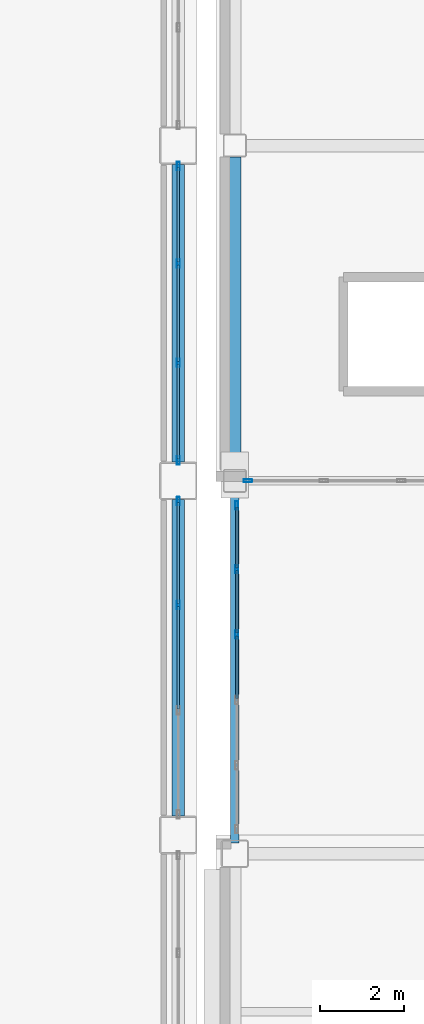
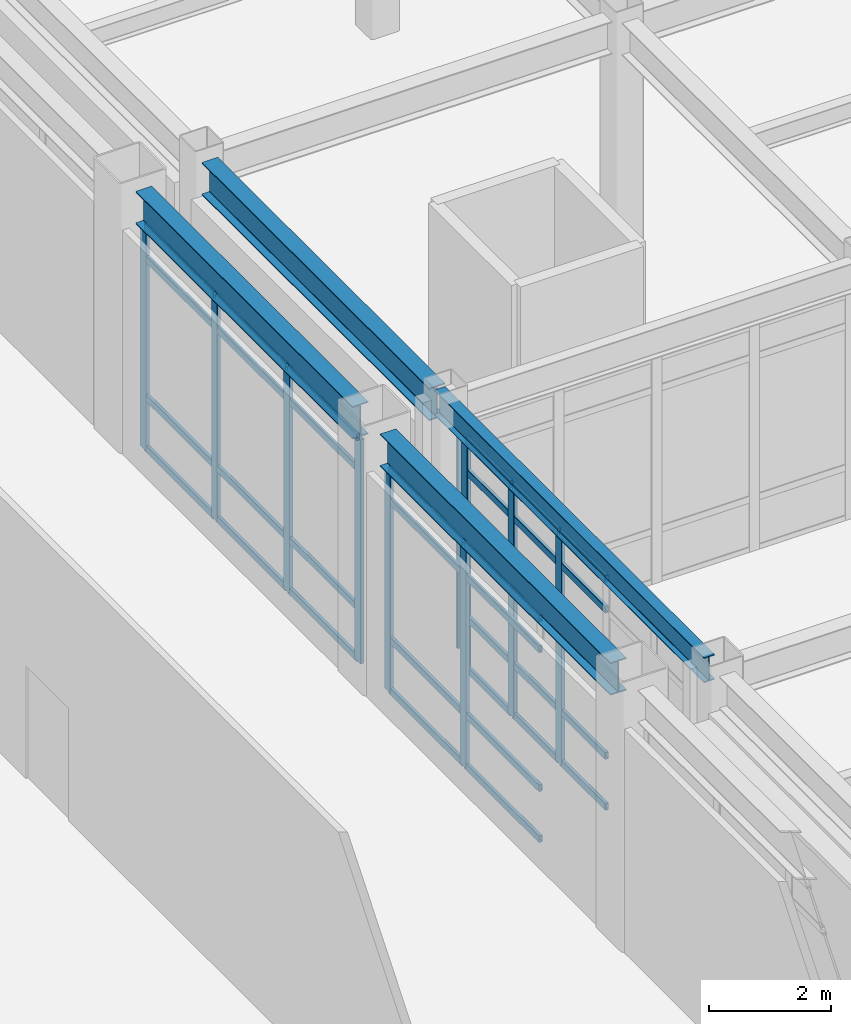
# One storey, part 63 of 165: 42 members, 4 beams, 4 elements without a shape of their own.
"""IFC4 building model written with IfcOpenShell, lengths in metres."""

from ifc_helpers import new_model, si_unit, direction, frame, origin, origin_2d, place, context, subcontext, project, spatial, hollow_rectangle, i_section, extrude, material, layer, layer_set, material_profile, profile_set, type_object, element, aggregate, save


model = new_model("IFC4")

# Units and contexts
model_context = context("Model", 3, precision=1e-05, world=origin(), true_north=direction((0.0, 1.0)))
body_context = subcontext(model_context, "Body", "Model", "MODEL_VIEW")
ifc_project = project(units=[si_unit("LENGTHUNIT", "METRE"), si_unit("AREAUNIT", "SQUARE_METRE"), si_unit("VOLUMEUNIT", "CUBIC_METRE"), si_unit("PLANEANGLEUNIT", "RADIAN"), si_unit("MASSUNIT", "GRAM", prefix="KILO")], contexts=[model_context])

# Site, building, storey
site_placement = place(None, origin())
site = spatial("IfcSite", under=ifc_project, at=site_placement, CompositionType="ELEMENT")
building_placement = place(site_placement, origin())
building = spatial("IfcBuilding", under=site, at=building_placement, Name="Kazehara Bluff Congress Hotel", CompositionType="ELEMENT")
storey_placement = place(building_placement, origin())
storey = spatial("IfcBuildingStorey", under=building, at=storey_placement, Name="L00", CompositionType="ELEMENT", Elevation=0.0)

# Curtain wall, members
ifc_material_1 = material(Name="Anodised aluminium", Category="aluminium")
ifc_layer_1 = layer(ifc_material_1, 0.159912109375)
ifc_layer_set_1 = layer_set([ifc_layer_1], Name="Anodised aluminium")
curtain_wall_type_1 = type_object("IfcCurtainWallType", Name="TP-CW-01", PredefinedType="NOTDEFINED", material=ifc_layer_set_1)
curtain_wall_1_placement = place(storey_placement, origin())
curtain_wall_1 = element("IfcCurtainWall", 1, at=curtain_wall_1_placement, inside=storey, type_object=curtain_wall_type_1, Name="L00 curtain wall CW-01 CW-BRG-34-L00-A", PredefinedType="NOTDEFINED")
ifc_material_2 = material(Name="Anodised aluminium", Category="aluminium")
ifc_material_profile_1 = material_profile(ifc_material_2, hollow_rectangle(XDim=0.070068359375, YDim=0.199951171875, WallThickness=0.0048828125, InnerFilletRadius=0.0048828125, OuterFilletRadius=0.010009765625, at=origin_2d()))
ifc_profile_set_1 = profile_set([ifc_material_profile_1], Name="Anodised aluminium")
member_type_1 = type_object("IfcMemberType", Name="TP-CWM-03", PredefinedType="MULLION", material=ifc_profile_set_1)
member_1_placement = place(storey_placement, frame((59.75, 77.22998046875, 0.0), z_axis=(0.0, 0.0, 1.0), x_axis=(-1.0, 0.0, 0.0)))
member_1 = element("IfcMember", 2, at=member_1_placement, type_object=member_type_1, Name="CW-01 mullion 4", PredefinedType="MULLION", context=body_context, shape_type="SweptSolid", body=[
    extrude(hollow_rectangle(XDim=0.070068359375, YDim=0.199951171875, WallThickness=0.0048828125, InnerFilletRadius=0.0048828125, OuterFilletRadius=0.010009765625, at=origin_2d()), origin(), (0.0, 0.0, 1.0), 4.625),
])
member_2_placement = place(storey_placement, frame((59.75, 78.7900390625, 0.0), z_axis=(0.0, 0.0, 1.0), x_axis=(-1.0, 0.0, 0.0)))
member_2 = element("IfcMember", 3, at=member_2_placement, type_object=member_type_1, Name="CW-01 mullion 5", PredefinedType="MULLION", context=body_context, shape_type="SweptSolid", body=[
    extrude(hollow_rectangle(XDim=0.070068359375, YDim=0.199951171875, WallThickness=0.0048828125, InnerFilletRadius=0.0048828125, OuterFilletRadius=0.010009765625, at=origin_2d()), origin(), (0.0, 0.0, 1.0), 4.625),
])
member_3_placement = place(storey_placement, frame((59.75, 80.31494140625, 0.0), z_axis=(0.0, 0.0, 1.0), x_axis=(-1.0, 0.0, 0.0)))
member_3 = element("IfcMember", 4, at=member_3_placement, type_object=member_type_1, Name="CW-01 mullion 6", PredefinedType="MULLION", context=body_context, shape_type="SweptSolid", body=[
    extrude(hollow_rectangle(XDim=0.070068359375, YDim=0.199951171875, WallThickness=0.0048828125, InnerFilletRadius=0.0048828125, OuterFilletRadius=0.010009765625, at=origin_2d()), origin(), (0.0, 0.0, 1.0), 4.625),
])

ifc_material_3 = material(Name="Anodised aluminium", Category="aluminium")
ifc_layer_2 = layer(ifc_material_3, 0.159912109375)
ifc_layer_set_2 = layer_set([ifc_layer_2], Name="Anodised aluminium")
curtain_wall_type_2 = type_object("IfcCurtainWallType", Name="TP-CW-18", PredefinedType="NOTDEFINED", material=ifc_layer_set_2)
curtain_wall_2_placement = place(storey_placement, origin())
curtain_wall_2 = element("IfcCurtainWall", 5, at=curtain_wall_2_placement, inside=storey, type_object=curtain_wall_type_2, Name="L00 curtain wall CW-18 CW-V1-L00-X5835-7290", PredefinedType="NOTDEFINED")
member_4_placement = place(storey_placement, frame((58.35009765625, 77.933349609375, 0.0), z_axis=(0.0, 0.0, 1.0), x_axis=(-1.0, 0.0, 0.0)))
member_4 = element("IfcMember", 6, at=member_4_placement, type_object=member_type_1, Name="CW-18 mullion 3", PredefinedType="MULLION", context=body_context, shape_type="SweptSolid", body=[
    extrude(hollow_rectangle(XDim=0.070068359375, YDim=0.199951171875, WallThickness=0.0048828125, InnerFilletRadius=0.0048828125, OuterFilletRadius=0.010009765625, at=origin_2d()), origin(), (0.0, 0.0, 1.0), 4.47509765625),
])
member_5_placement = place(storey_placement, frame((58.35009765625, 80.4150390625, 0.0), z_axis=(0.0, 0.0, 1.0), x_axis=(-1.0, 0.0, 0.0)))
member_5 = element("IfcMember", 7, at=member_5_placement, type_object=member_type_1, Name="CW-18 mullion 4", PredefinedType="MULLION", context=body_context, shape_type="SweptSolid", body=[
    extrude(hollow_rectangle(XDim=0.070068359375, YDim=0.199951171875, WallThickness=0.0048828125, InnerFilletRadius=0.0048828125, OuterFilletRadius=0.010009765625, at=origin_2d()), origin(), (0.0, 0.0, 1.0), 4.47509765625),
])

ifc_material_4 = material(Name="Anodised aluminium", Category="aluminium")
ifc_layer_3 = layer(ifc_material_4, 0.159912109375)
ifc_layer_set_3 = layer_set([ifc_layer_3], Name="Anodised aluminium")
curtain_wall_type_3 = type_object("IfcCurtainWallType", Name="TP-CW-17", PredefinedType="NOTDEFINED", material=ifc_layer_set_3)
curtain_wall_3_placement = place(storey_placement, origin())
curtain_wall_3 = element("IfcCurtainWall", 8, at=curtain_wall_3_placement, inside=storey, type_object=curtain_wall_type_3, Name="L00 curtain wall CW-17 CW-V1-L00-X5835-8135", PredefinedType="NOTDEFINED")
member_6_placement = place(storey_placement, frame((58.35009765625, 81.385009765625, 0.0), z_axis=(0.0, 0.0, 1.0), x_axis=(-1.0, 0.0, 0.0)))
member_6 = element("IfcMember", 9, at=member_6_placement, type_object=member_type_1, Name="CW-17 mullion 1", PredefinedType="MULLION", context=body_context, shape_type="SweptSolid", body=[
    extrude(hollow_rectangle(XDim=0.070068359375, YDim=0.199951171875, WallThickness=0.0048828125, InnerFilletRadius=0.0048828125, OuterFilletRadius=0.010009765625, at=origin_2d()), origin(), (0.0, 0.0, 1.0), 4.47509765625),
])
member_7_placement = place(storey_placement, frame((58.35009765625, 83.716552734375, 0.0), z_axis=(0.0, 0.0, 1.0), x_axis=(-1.0, 0.0, 0.0)))
member_7 = element("IfcMember", 10, at=member_7_placement, type_object=member_type_1, Name="CW-17 mullion 2", PredefinedType="MULLION", context=body_context, shape_type="SweptSolid", body=[
    extrude(hollow_rectangle(XDim=0.070068359375, YDim=0.199951171875, WallThickness=0.0048828125, InnerFilletRadius=0.0048828125, OuterFilletRadius=0.010009765625, at=origin_2d()), origin(), (0.0, 0.0, 1.0), 4.47509765625),
])
member_8_placement = place(storey_placement, frame((58.35009765625, 86.083251953125, 0.0), z_axis=(0.0, 0.0, 1.0), x_axis=(-1.0, 0.0, 0.0)))
member_8 = element("IfcMember", 11, at=member_8_placement, type_object=member_type_1, Name="CW-17 mullion 3", PredefinedType="MULLION", context=body_context, shape_type="SweptSolid", body=[
    extrude(hollow_rectangle(XDim=0.070068359375, YDim=0.199951171875, WallThickness=0.0048828125, InnerFilletRadius=0.0048828125, OuterFilletRadius=0.010009765625, at=origin_2d()), origin(), (0.0, 0.0, 1.0), 4.47509765625),
])
member_9_placement = place(storey_placement, frame((58.35009765625, 88.4150390625, 0.0), z_axis=(0.0, 0.0, 1.0), x_axis=(-1.0, 0.0, 0.0)))
member_9 = element("IfcMember", 12, at=member_9_placement, type_object=member_type_1, Name="CW-17 mullion 4", PredefinedType="MULLION", context=body_context, shape_type="SweptSolid", body=[
    extrude(hollow_rectangle(XDim=0.070068359375, YDim=0.199951171875, WallThickness=0.0048828125, InnerFilletRadius=0.0048828125, OuterFilletRadius=0.010009765625, at=origin_2d()), origin(), (0.0, 0.0, 1.0), 4.47509765625),
])

# Curtain wall, member
ifc_material_5 = material(Name="Anodised aluminium", Category="aluminium")
ifc_layer_4 = layer(ifc_material_5, 0.159912109375)
ifc_layer_set_4 = layer_set([ifc_layer_4], Name="Anodised aluminium")
curtain_wall_type_4 = type_object("IfcCurtainWallType", Name="TP-CW-35", PredefinedType="NOTDEFINED", material=ifc_layer_set_4)
curtain_wall_4_placement = place(storey_placement, origin())
curtain_wall_4 = element("IfcCurtainWall", 13, at=curtain_wall_4_placement, inside=storey, type_object=curtain_wall_type_4, Name="L00 curtain wall CW-35 CW-V3-L00-Y8090-5998", PredefinedType="NOTDEFINED")
member_10_placement = place(storey_placement, frame((60.010009765625, 80.89990234375, 0.0), z_axis=(0.0, 0.0, 1.0), x_axis=(0.0, 1.0, 0.0)))
member_10 = element("IfcMember", 14, at=member_10_placement, type_object=member_type_1, Name="CW-35 mullion 1", PredefinedType="MULLION", context=body_context, shape_type="SweptSolid", body=[
    extrude(hollow_rectangle(XDim=0.070068359375, YDim=0.199951171875, WallThickness=0.0048828125, InnerFilletRadius=0.0048828125, OuterFilletRadius=0.010009765625, at=origin_2d()), origin(), (0.0, 0.0, 1.0), 4.52490234375),
])
aggregate(curtain_wall_4, [member_10])

# Member
ifc_material_6 = material(Name="Anodised aluminium", Category="aluminium")
ifc_material_profile_2 = material_profile(ifc_material_6, hollow_rectangle(XDim=0.06494140625, YDim=0.139892578125, WallThickness=0.00390625, InnerFilletRadius=0.00390625, OuterFilletRadius=0.008056640625, at=origin_2d()))
ifc_profile_set_2 = profile_set([ifc_material_profile_2], Name="Anodised aluminium")
member_type_2 = type_object("IfcMemberType", Name="TP-CWT-02", PredefinedType="USERDEFINED", material=ifc_profile_set_2)
member_11_placement = place(storey_placement, frame((59.75, 75.705078125, 0.032470703125), z_axis=(0.0, 1.0, 0.0), x_axis=(-1.0, 0.0, 0.0)))
member_11 = element("IfcMember", 15, at=member_11_placement, type_object=member_type_2, Name="CW-01 transom 3.1", ObjectType="TRANSOM", PredefinedType="USERDEFINED", context=body_context, shape_type="SweptSolid", body=[
    extrude(hollow_rectangle(XDim=0.06494140625, YDim=0.139892578125, WallThickness=0.00390625, InnerFilletRadius=0.00390625, OuterFilletRadius=0.008056640625, at=origin_2d()), origin(), (0.0, 0.0, 1.0), 1.489990234375),
])

member_12_placement = place(storey_placement, frame((59.75, 75.705078125, 1.050048828125), z_axis=(0.0, 1.0, 0.0), x_axis=(-1.0, 0.0, 0.0)))
member_12 = element("IfcMember", 16, at=member_12_placement, type_object=member_type_2, Name="CW-01 transom 3.2", ObjectType="TRANSOM", PredefinedType="USERDEFINED", context=body_context, shape_type="SweptSolid", body=[
    extrude(hollow_rectangle(XDim=0.06494140625, YDim=0.139892578125, WallThickness=0.00390625, InnerFilletRadius=0.00390625, OuterFilletRadius=0.008056640625, at=origin_2d()), origin(), (0.0, 0.0, 1.0), 1.489990234375),
])

member_13_placement = place(storey_placement, frame((59.75, 75.705078125, 3.97509765625), z_axis=(0.0, 1.0, 0.0), x_axis=(-1.0, 0.0, 0.0)))
member_13 = element("IfcMember", 17, at=member_13_placement, type_object=member_type_2, Name="CW-01 transom 3.3", ObjectType="TRANSOM", PredefinedType="USERDEFINED", context=body_context, shape_type="SweptSolid", body=[
    extrude(hollow_rectangle(XDim=0.06494140625, YDim=0.139892578125, WallThickness=0.00390625, InnerFilletRadius=0.00390625, OuterFilletRadius=0.008056640625, at=origin_2d()), origin(), (0.0, 0.0, 1.0), 1.489990234375),
])

member_14_placement = place(storey_placement, frame((59.75, 75.705078125, 4.592529296875), z_axis=(0.0, 1.0, 0.0), x_axis=(-1.0, 0.0, 0.0)))
member_14 = element("IfcMember", 18, at=member_14_placement, type_object=member_type_2, Name="CW-01 transom 3.4", ObjectType="TRANSOM", PredefinedType="USERDEFINED", context=body_context, shape_type="SweptSolid", body=[
    extrude(hollow_rectangle(XDim=0.06494140625, YDim=0.139892578125, WallThickness=0.00390625, InnerFilletRadius=0.00390625, OuterFilletRadius=0.008056640625, at=origin_2d()), origin(), (0.0, 0.0, 1.0), 1.489990234375),
])

member_15_placement = place(storey_placement, frame((59.75, 77.264892578125, 0.032470703125), z_axis=(0.0, 1.0, 0.0), x_axis=(-1.0, 0.0, 0.0)))
member_15 = element("IfcMember", 19, at=member_15_placement, type_object=member_type_2, Name="CW-01 transom 4.1", ObjectType="TRANSOM", PredefinedType="USERDEFINED", context=body_context, shape_type="SweptSolid", body=[
    extrude(hollow_rectangle(XDim=0.06494140625, YDim=0.139892578125, WallThickness=0.00390625, InnerFilletRadius=0.00390625, OuterFilletRadius=0.008056640625, at=origin_2d()), origin(), (0.0, 0.0, 1.0), 1.489990234375),
])

member_16_placement = place(storey_placement, frame((59.75, 77.264892578125, 1.050048828125), z_axis=(0.0, 1.0, 0.0), x_axis=(-1.0, 0.0, 0.0)))
member_16 = element("IfcMember", 20, at=member_16_placement, type_object=member_type_2, Name="CW-01 transom 4.2", ObjectType="TRANSOM", PredefinedType="USERDEFINED", context=body_context, shape_type="SweptSolid", body=[
    extrude(hollow_rectangle(XDim=0.06494140625, YDim=0.139892578125, WallThickness=0.00390625, InnerFilletRadius=0.00390625, OuterFilletRadius=0.008056640625, at=origin_2d()), origin(), (0.0, 0.0, 1.0), 1.489990234375),
])

member_17_placement = place(storey_placement, frame((59.75, 77.264892578125, 3.97509765625), z_axis=(0.0, 1.0, 0.0), x_axis=(-1.0, 0.0, 0.0)))
member_17 = element("IfcMember", 21, at=member_17_placement, type_object=member_type_2, Name="CW-01 transom 4.3", ObjectType="TRANSOM", PredefinedType="USERDEFINED", context=body_context, shape_type="SweptSolid", body=[
    extrude(hollow_rectangle(XDim=0.06494140625, YDim=0.139892578125, WallThickness=0.00390625, InnerFilletRadius=0.00390625, OuterFilletRadius=0.008056640625, at=origin_2d()), origin(), (0.0, 0.0, 1.0), 1.489990234375),
])

member_18_placement = place(storey_placement, frame((59.75, 77.264892578125, 4.592529296875), z_axis=(0.0, 1.0, 0.0), x_axis=(-1.0, 0.0, 0.0)))
member_18 = element("IfcMember", 22, at=member_18_placement, type_object=member_type_2, Name="CW-01 transom 4.4", ObjectType="TRANSOM", PredefinedType="USERDEFINED", context=body_context, shape_type="SweptSolid", body=[
    extrude(hollow_rectangle(XDim=0.06494140625, YDim=0.139892578125, WallThickness=0.00390625, InnerFilletRadius=0.00390625, OuterFilletRadius=0.008056640625, at=origin_2d()), origin(), (0.0, 0.0, 1.0), 1.489990234375),
])

member_19_placement = place(storey_placement, frame((59.75, 78.824951171875, 0.032470703125), z_axis=(0.0, 1.0, 0.0), x_axis=(-1.0, 0.0, 0.0)))
member_19 = element("IfcMember", 23, at=member_19_placement, type_object=member_type_2, Name="CW-01 transom 5.1", ObjectType="TRANSOM", PredefinedType="USERDEFINED", context=body_context, shape_type="SweptSolid", body=[
    extrude(hollow_rectangle(XDim=0.06494140625, YDim=0.139892578125, WallThickness=0.00390625, InnerFilletRadius=0.00390625, OuterFilletRadius=0.008056640625, at=origin_2d()), origin(), (0.0, 0.0, 1.0), 1.455078125),
])

member_20_placement = place(storey_placement, frame((59.75, 78.824951171875, 1.050048828125), z_axis=(0.0, 1.0, 0.0), x_axis=(-1.0, 0.0, 0.0)))
member_20 = element("IfcMember", 24, at=member_20_placement, type_object=member_type_2, Name="CW-01 transom 5.2", ObjectType="TRANSOM", PredefinedType="USERDEFINED", context=body_context, shape_type="SweptSolid", body=[
    extrude(hollow_rectangle(XDim=0.06494140625, YDim=0.139892578125, WallThickness=0.00390625, InnerFilletRadius=0.00390625, OuterFilletRadius=0.008056640625, at=origin_2d()), origin(), (0.0, 0.0, 1.0), 1.455078125),
])

member_21_placement = place(storey_placement, frame((59.75, 78.824951171875, 3.97509765625), z_axis=(0.0, 1.0, 0.0), x_axis=(-1.0, 0.0, 0.0)))
member_21 = element("IfcMember", 25, at=member_21_placement, type_object=member_type_2, Name="CW-01 transom 5.3", ObjectType="TRANSOM", PredefinedType="USERDEFINED", context=body_context, shape_type="SweptSolid", body=[
    extrude(hollow_rectangle(XDim=0.06494140625, YDim=0.139892578125, WallThickness=0.00390625, InnerFilletRadius=0.00390625, OuterFilletRadius=0.008056640625, at=origin_2d()), origin(), (0.0, 0.0, 1.0), 1.455078125),
])

member_22_placement = place(storey_placement, frame((59.75, 78.824951171875, 4.592529296875), z_axis=(0.0, 1.0, 0.0), x_axis=(-1.0, 0.0, 0.0)))
member_22 = element("IfcMember", 26, at=member_22_placement, type_object=member_type_2, Name="CW-01 transom 5.4", ObjectType="TRANSOM", PredefinedType="USERDEFINED", context=body_context, shape_type="SweptSolid", body=[
    extrude(hollow_rectangle(XDim=0.06494140625, YDim=0.139892578125, WallThickness=0.00390625, InnerFilletRadius=0.00390625, OuterFilletRadius=0.008056640625, at=origin_2d()), origin(), (0.0, 0.0, 1.0), 1.455078125),
])

aggregate(curtain_wall_1, [member_1, member_2, member_3, member_11, member_12, member_13, member_14, member_15, member_16, member_17, member_18, member_19, member_20, member_21, member_22])

member_23_placement = place(storey_placement, frame((58.35009765625, 75.45166015625, 0.032470703125), z_axis=(0.0, 1.0, 0.0), x_axis=(-1.0, 0.0, 0.0)))
member_23 = element("IfcMember", 27, at=member_23_placement, type_object=member_type_2, Name="CW-18 transom 2.1", ObjectType="TRANSOM", PredefinedType="USERDEFINED", context=body_context, shape_type="SweptSolid", body=[
    extrude(hollow_rectangle(XDim=0.06494140625, YDim=0.139892578125, WallThickness=0.00390625, InnerFilletRadius=0.00390625, OuterFilletRadius=0.008056640625, at=origin_2d()), origin(), (0.0, 0.0, 1.0), 2.44677734375),
])

member_24_placement = place(storey_placement, frame((58.35009765625, 75.45166015625, 1.050048828125), z_axis=(0.0, 1.0, 0.0), x_axis=(-1.0, 0.0, 0.0)))
member_24 = element("IfcMember", 28, at=member_24_placement, type_object=member_type_2, Name="CW-18 transom 2.2", ObjectType="TRANSOM", PredefinedType="USERDEFINED", context=body_context, shape_type="SweptSolid", body=[
    extrude(hollow_rectangle(XDim=0.06494140625, YDim=0.139892578125, WallThickness=0.00390625, InnerFilletRadius=0.00390625, OuterFilletRadius=0.008056640625, at=origin_2d()), origin(), (0.0, 0.0, 1.0), 2.44677734375),
])

member_25_placement = place(storey_placement, frame((58.35009765625, 75.45166015625, 3.824951171875), z_axis=(0.0, 1.0, 0.0), x_axis=(-1.0, 0.0, 0.0)))
member_25 = element("IfcMember", 29, at=member_25_placement, type_object=member_type_2, Name="CW-18 transom 2.3", ObjectType="TRANSOM", PredefinedType="USERDEFINED", context=body_context, shape_type="SweptSolid", body=[
    extrude(hollow_rectangle(XDim=0.06494140625, YDim=0.139892578125, WallThickness=0.00390625, InnerFilletRadius=0.00390625, OuterFilletRadius=0.008056640625, at=origin_2d()), origin(), (0.0, 0.0, 1.0), 2.44677734375),
])

member_26_placement = place(storey_placement, frame((58.35009765625, 75.45166015625, 4.4423828125), z_axis=(0.0, 1.0, 0.0), x_axis=(-1.0, 0.0, 0.0)))
member_26 = element("IfcMember", 30, at=member_26_placement, type_object=member_type_2, Name="CW-18 transom 2.4", ObjectType="TRANSOM", PredefinedType="USERDEFINED", context=body_context, shape_type="SweptSolid", body=[
    extrude(hollow_rectangle(XDim=0.06494140625, YDim=0.139892578125, WallThickness=0.00390625, InnerFilletRadius=0.00390625, OuterFilletRadius=0.008056640625, at=origin_2d()), origin(), (0.0, 0.0, 1.0), 2.44677734375),
])

member_27_placement = place(storey_placement, frame((58.35009765625, 77.96826171875, 0.032470703125), z_axis=(0.0, 1.0, 0.0), x_axis=(-1.0, 0.0, 0.0)))
member_27 = element("IfcMember", 31, at=member_27_placement, type_object=member_type_2, Name="CW-18 transom 3.1", ObjectType="TRANSOM", PredefinedType="USERDEFINED", context=body_context, shape_type="SweptSolid", body=[
    extrude(hollow_rectangle(XDim=0.06494140625, YDim=0.139892578125, WallThickness=0.00390625, InnerFilletRadius=0.00390625, OuterFilletRadius=0.008056640625, at=origin_2d()), origin(), (0.0, 0.0, 1.0), 2.41162109375),
])

member_28_placement = place(storey_placement, frame((58.35009765625, 77.96826171875, 1.050048828125), z_axis=(0.0, 1.0, 0.0), x_axis=(-1.0, 0.0, 0.0)))
member_28 = element("IfcMember", 32, at=member_28_placement, type_object=member_type_2, Name="CW-18 transom 3.2", ObjectType="TRANSOM", PredefinedType="USERDEFINED", context=body_context, shape_type="SweptSolid", body=[
    extrude(hollow_rectangle(XDim=0.06494140625, YDim=0.139892578125, WallThickness=0.00390625, InnerFilletRadius=0.00390625, OuterFilletRadius=0.008056640625, at=origin_2d()), origin(), (0.0, 0.0, 1.0), 2.41162109375),
])

member_29_placement = place(storey_placement, frame((58.35009765625, 77.96826171875, 3.824951171875), z_axis=(0.0, 1.0, 0.0), x_axis=(-1.0, 0.0, 0.0)))
member_29 = element("IfcMember", 33, at=member_29_placement, type_object=member_type_2, Name="CW-18 transom 3.3", ObjectType="TRANSOM", PredefinedType="USERDEFINED", context=body_context, shape_type="SweptSolid", body=[
    extrude(hollow_rectangle(XDim=0.06494140625, YDim=0.139892578125, WallThickness=0.00390625, InnerFilletRadius=0.00390625, OuterFilletRadius=0.008056640625, at=origin_2d()), origin(), (0.0, 0.0, 1.0), 2.41162109375),
])

member_30_placement = place(storey_placement, frame((58.35009765625, 77.96826171875, 4.4423828125), z_axis=(0.0, 1.0, 0.0), x_axis=(-1.0, 0.0, 0.0)))
member_30 = element("IfcMember", 34, at=member_30_placement, type_object=member_type_2, Name="CW-18 transom 3.4", ObjectType="TRANSOM", PredefinedType="USERDEFINED", context=body_context, shape_type="SweptSolid", body=[
    extrude(hollow_rectangle(XDim=0.06494140625, YDim=0.139892578125, WallThickness=0.00390625, InnerFilletRadius=0.00390625, OuterFilletRadius=0.008056640625, at=origin_2d()), origin(), (0.0, 0.0, 1.0), 2.41162109375),
])

aggregate(curtain_wall_2, [member_4, member_5, member_23, member_24, member_25, member_26, member_27, member_28, member_29, member_30])

member_31_placement = place(storey_placement, frame((58.35009765625, 81.419921875, 0.032470703125), z_axis=(0.0, 1.0, 0.0), x_axis=(-1.0, 0.0, 0.0)))
member_31 = element("IfcMember", 35, at=member_31_placement, type_object=member_type_2, Name="CW-17 transom 1.1", ObjectType="TRANSOM", PredefinedType="USERDEFINED", context=body_context, shape_type="SweptSolid", body=[
    extrude(hollow_rectangle(XDim=0.06494140625, YDim=0.139892578125, WallThickness=0.00390625, InnerFilletRadius=0.00390625, OuterFilletRadius=0.008056640625, at=origin_2d()), origin(), (0.0, 0.0, 1.0), 2.26171875),
])

member_32_placement = place(storey_placement, frame((58.35009765625, 81.419921875, 1.050048828125), z_axis=(0.0, 1.0, 0.0), x_axis=(-1.0, 0.0, 0.0)))
member_32 = element("IfcMember", 36, at=member_32_placement, type_object=member_type_2, Name="CW-17 transom 1.2", ObjectType="TRANSOM", PredefinedType="USERDEFINED", context=body_context, shape_type="SweptSolid", body=[
    extrude(hollow_rectangle(XDim=0.06494140625, YDim=0.139892578125, WallThickness=0.00390625, InnerFilletRadius=0.00390625, OuterFilletRadius=0.008056640625, at=origin_2d()), origin(), (0.0, 0.0, 1.0), 2.26171875),
])

member_33_placement = place(storey_placement, frame((58.35009765625, 81.419921875, 3.824951171875), z_axis=(0.0, 1.0, 0.0), x_axis=(-1.0, 0.0, 0.0)))
member_33 = element("IfcMember", 37, at=member_33_placement, type_object=member_type_2, Name="CW-17 transom 1.3", ObjectType="TRANSOM", PredefinedType="USERDEFINED", context=body_context, shape_type="SweptSolid", body=[
    extrude(hollow_rectangle(XDim=0.06494140625, YDim=0.139892578125, WallThickness=0.00390625, InnerFilletRadius=0.00390625, OuterFilletRadius=0.008056640625, at=origin_2d()), origin(), (0.0, 0.0, 1.0), 2.26171875),
])

member_34_placement = place(storey_placement, frame((58.35009765625, 81.419921875, 4.4423828125), z_axis=(0.0, 1.0, 0.0), x_axis=(-1.0, 0.0, 0.0)))
member_34 = element("IfcMember", 38, at=member_34_placement, type_object=member_type_2, Name="CW-17 transom 1.4", ObjectType="TRANSOM", PredefinedType="USERDEFINED", context=body_context, shape_type="SweptSolid", body=[
    extrude(hollow_rectangle(XDim=0.06494140625, YDim=0.139892578125, WallThickness=0.00390625, InnerFilletRadius=0.00390625, OuterFilletRadius=0.008056640625, at=origin_2d()), origin(), (0.0, 0.0, 1.0), 2.26171875),
])

member_35_placement = place(storey_placement, frame((58.35009765625, 83.751708984375, 0.032470703125), z_axis=(0.0, 1.0, 0.0), x_axis=(-1.0, 0.0, 0.0)))
member_35 = element("IfcMember", 39, at=member_35_placement, type_object=member_type_2, Name="CW-17 transom 2.1", ObjectType="TRANSOM", PredefinedType="USERDEFINED", context=body_context, shape_type="SweptSolid", body=[
    extrude(hollow_rectangle(XDim=0.06494140625, YDim=0.139892578125, WallThickness=0.00390625, InnerFilletRadius=0.00390625, OuterFilletRadius=0.008056640625, at=origin_2d()), origin(), (0.0, 0.0, 1.0), 2.296630859375),
])

member_36_placement = place(storey_placement, frame((58.35009765625, 83.751708984375, 1.050048828125), z_axis=(0.0, 1.0, 0.0), x_axis=(-1.0, 0.0, 0.0)))
member_36 = element("IfcMember", 40, at=member_36_placement, type_object=member_type_2, Name="CW-17 transom 2.2", ObjectType="TRANSOM", PredefinedType="USERDEFINED", context=body_context, shape_type="SweptSolid", body=[
    extrude(hollow_rectangle(XDim=0.06494140625, YDim=0.139892578125, WallThickness=0.00390625, InnerFilletRadius=0.00390625, OuterFilletRadius=0.008056640625, at=origin_2d()), origin(), (0.0, 0.0, 1.0), 2.296630859375),
])

member_37_placement = place(storey_placement, frame((58.35009765625, 83.751708984375, 3.824951171875), z_axis=(0.0, 1.0, 0.0), x_axis=(-1.0, 0.0, 0.0)))
member_37 = element("IfcMember", 41, at=member_37_placement, type_object=member_type_2, Name="CW-17 transom 2.3", ObjectType="TRANSOM", PredefinedType="USERDEFINED", context=body_context, shape_type="SweptSolid", body=[
    extrude(hollow_rectangle(XDim=0.06494140625, YDim=0.139892578125, WallThickness=0.00390625, InnerFilletRadius=0.00390625, OuterFilletRadius=0.008056640625, at=origin_2d()), origin(), (0.0, 0.0, 1.0), 2.296630859375),
])

member_38_placement = place(storey_placement, frame((58.35009765625, 83.751708984375, 4.4423828125), z_axis=(0.0, 1.0, 0.0), x_axis=(-1.0, 0.0, 0.0)))
member_38 = element("IfcMember", 42, at=member_38_placement, type_object=member_type_2, Name="CW-17 transom 2.4", ObjectType="TRANSOM", PredefinedType="USERDEFINED", context=body_context, shape_type="SweptSolid", body=[
    extrude(hollow_rectangle(XDim=0.06494140625, YDim=0.139892578125, WallThickness=0.00390625, InnerFilletRadius=0.00390625, OuterFilletRadius=0.008056640625, at=origin_2d()), origin(), (0.0, 0.0, 1.0), 2.296630859375),
])

member_39_placement = place(storey_placement, frame((58.35009765625, 86.118408203125, 0.032470703125), z_axis=(0.0, 1.0, 0.0), x_axis=(-1.0, 0.0, 0.0)))
member_39 = element("IfcMember", 43, at=member_39_placement, type_object=member_type_2, Name="CW-17 transom 3.1", ObjectType="TRANSOM", PredefinedType="USERDEFINED", context=body_context, shape_type="SweptSolid", body=[
    extrude(hollow_rectangle(XDim=0.06494140625, YDim=0.139892578125, WallThickness=0.00390625, InnerFilletRadius=0.00390625, OuterFilletRadius=0.008056640625, at=origin_2d()), origin(), (0.0, 0.0, 1.0), 2.261474609375),
])

member_40_placement = place(storey_placement, frame((58.35009765625, 86.118408203125, 1.050048828125), z_axis=(0.0, 1.0, 0.0), x_axis=(-1.0, 0.0, 0.0)))
member_40 = element("IfcMember", 44, at=member_40_placement, type_object=member_type_2, Name="CW-17 transom 3.2", ObjectType="TRANSOM", PredefinedType="USERDEFINED", context=body_context, shape_type="SweptSolid", body=[
    extrude(hollow_rectangle(XDim=0.06494140625, YDim=0.139892578125, WallThickness=0.00390625, InnerFilletRadius=0.00390625, OuterFilletRadius=0.008056640625, at=origin_2d()), origin(), (0.0, 0.0, 1.0), 2.261474609375),
])

member_41_placement = place(storey_placement, frame((58.35009765625, 86.118408203125, 3.824951171875), z_axis=(0.0, 1.0, 0.0), x_axis=(-1.0, 0.0, 0.0)))
member_41 = element("IfcMember", 45, at=member_41_placement, type_object=member_type_2, Name="CW-17 transom 3.3", ObjectType="TRANSOM", PredefinedType="USERDEFINED", context=body_context, shape_type="SweptSolid", body=[
    extrude(hollow_rectangle(XDim=0.06494140625, YDim=0.139892578125, WallThickness=0.00390625, InnerFilletRadius=0.00390625, OuterFilletRadius=0.008056640625, at=origin_2d()), origin(), (0.0, 0.0, 1.0), 2.261474609375),
])

member_42_placement = place(storey_placement, frame((58.35009765625, 86.118408203125, 4.4423828125), z_axis=(0.0, 1.0, 0.0), x_axis=(-1.0, 0.0, 0.0)))
member_42 = element("IfcMember", 46, at=member_42_placement, type_object=member_type_2, Name="CW-17 transom 3.4", ObjectType="TRANSOM", PredefinedType="USERDEFINED", context=body_context, shape_type="SweptSolid", body=[
    extrude(hollow_rectangle(XDim=0.06494140625, YDim=0.139892578125, WallThickness=0.00390625, InnerFilletRadius=0.00390625, OuterFilletRadius=0.008056640625, at=origin_2d()), origin(), (0.0, 0.0, 1.0), 2.261474609375),
])

aggregate(curtain_wall_3, [member_6, member_7, member_8, member_9, member_31, member_32, member_33, member_34, member_35, member_36, member_37, member_38, member_39, member_40, member_41, member_42])

# Beams
ifc_material_7 = material(Name="Steel SN490B", Category="steel")
ifc_material_profile_3 = material_profile(ifc_material_7, i_section(OverallWidth=0.199951171875, OverallDepth=0.5, WebThickness=0.010009765625, FlangeThickness=0.01611328125, FilletRadius=0.012939453125, at=origin_2d()))
ifc_profile_set_3 = profile_set([ifc_material_profile_3], Name="Steel SN490B")
beam_type_1 = type_object("IfcBeamType", Name="TP-G-01", PredefinedType="BEAM", material=ifc_profile_set_3)
beam_1_placement = place(storey_placement, frame((59.699951171875, 72.260009765625, 4.89990234375), z_axis=(0.0, 1.0, 0.0), x_axis=(-1.0, 0.0, 0.0)))
element("IfcBeam", 47, at=beam_1_placement, inside=storey, type_object=beam_type_1, Name="Bridge edge beam BRG-34 L01-1", PredefinedType="BEAM", context=body_context, shape_type="SweptSolid", body=[
    extrude(i_section(OverallWidth=0.199951171875, OverallDepth=0.5, WebThickness=0.010009765625, FlangeThickness=0.01611328125, FilletRadius=0.012939453125, at=origin_2d()), origin(), (0.0, 0.0, 1.0), 8.830078125),
])
ifc_material_8 = material(Name="Steel SN490B", Category="steel")
ifc_material_profile_4 = material_profile(ifc_material_8, i_section(OverallWidth=0.300048828125, OverallDepth=0.64990234375, WebThickness=0.011962890625, FlangeThickness=0.02001953125, FilletRadius=0.012939453125, at=origin_2d()))
ifc_profile_set_4 = profile_set([ifc_material_profile_4], Name="Steel SN490B")
beam_type_2 = type_object("IfcBeamType", Name="TP-G-03", PredefinedType="BEAM", material=ifc_profile_set_4)
beam_2_placement = place(storey_placement, frame((58.35009765625, 72.89990234375, 4.824951171875), z_axis=(0.0, 1.0, 0.0), x_axis=(-1.0, 0.0, 0.0)))
element("IfcBeam", 48, at=beam_2_placement, inside=storey, type_object=beam_type_2, Name="L00 girder G-03 20", PredefinedType="BEAM", context=body_context, shape_type="SweptSolid", body=[
    extrude(i_section(OverallWidth=0.300048828125, OverallDepth=0.64990234375, WebThickness=0.011962890625, FlangeThickness=0.02001953125, FilletRadius=0.012939453125, at=origin_2d()), origin(), (0.0, 0.0, 1.0), 7.550048828125),
])
beam_3_placement = place(storey_placement, frame((58.35009765625, 81.35009765625, 4.824951171875), z_axis=(0.0, 1.0, 0.0), x_axis=(-1.0, 0.0, 0.0)))
element("IfcBeam", 49, at=beam_3_placement, inside=storey, type_object=beam_type_2, Name="L00 girder G-03 21", PredefinedType="BEAM", context=body_context, shape_type="SweptSolid", body=[
    extrude(i_section(OverallWidth=0.300048828125, OverallDepth=0.64990234375, WebThickness=0.011962890625, FlangeThickness=0.02001953125, FilletRadius=0.012939453125, at=origin_2d()), origin(), (0.0, 0.0, 1.0), 7.099853515625),
])
beam_4_placement = place(storey_placement, frame((59.699951171875, 81.175048828125, 4.824951171875), z_axis=(0.0, 1.0, 0.0), x_axis=(-1.0, 0.0, 0.0)))
element("IfcBeam", 50, at=beam_4_placement, inside=storey, type_object=beam_type_2, Name="L00 girder G-03 99", PredefinedType="BEAM", context=body_context, shape_type="SweptSolid", body=[
    extrude(i_section(OverallWidth=0.300048828125, OverallDepth=0.64990234375, WebThickness=0.011962890625, FlangeThickness=0.02001953125, FilletRadius=0.012939453125, at=origin_2d()), origin(), (0.0, 0.0, 1.0), 7.449951171875),
])

save(model, "model.ifc")
